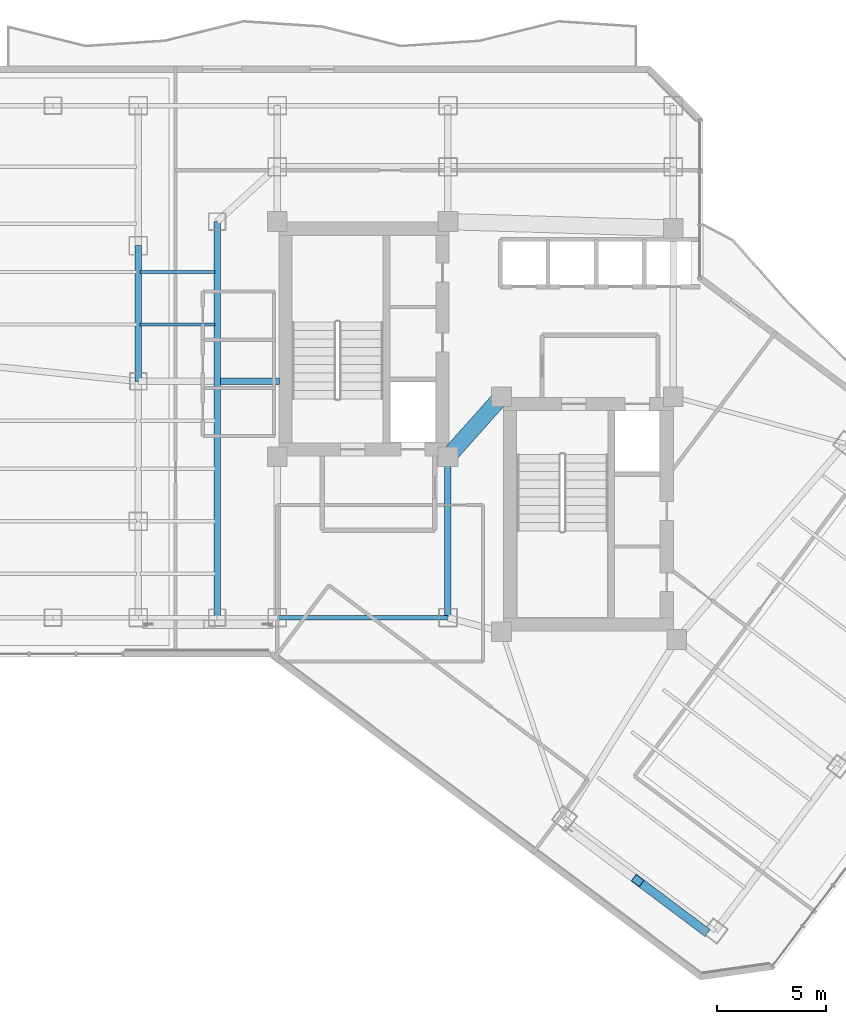
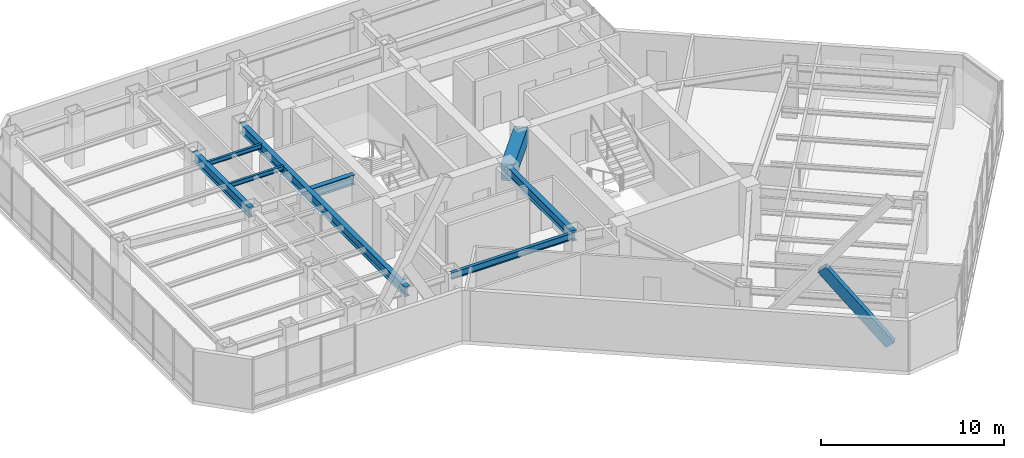
# One storey, part 9 of 26: 8 beams, 1 member.
"""IFC4 building model written with IfcOpenShell, lengths in metres."""

import ifcopenshell
import ifcopenshell.guid

model = None  # the IFC model being written
_history = None  # IfcOwnerHistory: only IFC2X3 demands one
_inside = {}  # id of a spatial element -> (the spatial element, [elements in it])
_under = {}  # id of a project, library or spatial element -> (it, [spatial elements below it])
_declared = {}  # id of a project -> (the project, [libraries it declares])
_typed = {}  # id of a type object -> (the type object, [elements of that type])
_made_of = {}  # id of a material, layer set ... -> (it, [elements and type objects made of it])


def new_model(schema):
    """Start an empty IFC model of exactly this schema.

    Asked for "IFC4X3", IfcOpenShell would pick the latest addendum, in which some entities
    have other attributes; the version numbers below select the first issue.
    IFC2X3 requires an IfcOwnerHistory on every rooted entity: one is made here for all.
    """
    global model, _history
    if schema == "IFC4X3":
        model = ifcopenshell.file(schema_version=(4, 3, 0, 0))
    else:
        model = ifcopenshell.file(schema=schema)
    _inside.clear()
    _under.clear()
    _declared.clear()
    _typed.clear()
    _made_of.clear()
    _history = None
    if model.schema == "IFC2X3":
        org = make("IfcOrganization", Name="unknown")
        user = make(
            "IfcPersonAndOrganization",
            ThePerson=make("IfcPerson", FamilyName="unknown"),
            TheOrganization=org,
        )
        app = make(
            "IfcApplication",
            ApplicationDeveloper=org,
            Version="unknown",
            ApplicationFullName="unknown",
            ApplicationIdentifier="unknown",
        )
        _history = make(
            "IfcOwnerHistory",
            OwningUser=user,
            OwningApplication=app,
            ChangeAction="ADDED",
            CreationDate=0,
        )
    return model


def make(cls, **values):
    """One entity of the class cls with the attributes given. An attribute that is None is left unset."""
    return model.create_entity(
        cls, **{name: value for name, value in values.items() if value is not None}
    )


def rooted(cls, **values):
    """An entity with a GlobalId (a new one), such as an element, a storey or a relation."""
    return make(cls, GlobalId=ifcopenshell.guid.new(), OwnerHistory=_history, **values)


def si_unit(unit_type, name, prefix=None):
    """IfcSIUnit, for example si_unit("LENGTHUNIT", "METRE", prefix="MILLI")."""
    return make("IfcSIUnit", UnitType=unit_type, Prefix=prefix, Name=name)


def assignment(units):
    """IfcUnitAssignment: the units of a project."""
    return None if units is None else make("IfcUnitAssignment", Units=units)


def point(xyz):
    """IfcCartesianPoint."""
    return None if xyz is None else make("IfcCartesianPoint", Coordinates=xyz)


def direction(xyz):
    """IfcDirection."""
    return None if xyz is None else make("IfcDirection", DirectionRatios=xyz)


def frame(location, z_axis=None, x_axis=None):
    """IfcAxis2Placement3D, a coordinate frame: its origin and axes. An axis left out is left unset."""
    return make(
        "IfcAxis2Placement3D",
        Location=point(location),
        Axis=direction(z_axis),
        RefDirection=direction(x_axis),
    )


def frame_2d(location, x_axis=None):
    """IfcAxis2Placement2D, a coordinate frame in the plane: its origin and x axis."""
    return make(
        "IfcAxis2Placement2D", Location=point(location), RefDirection=direction(x_axis)
    )


def origin():
    """The frame at (0, 0, 0) with its axes left unset."""
    return frame((0.0, 0.0, 0.0))


def origin_2d():
    """The frame at (0, 0) in the plane with its x axis left unset."""
    return frame_2d((0.0, 0.0))


def place(relative_to, where):
    """IfcLocalPlacement: puts the frame where relative to a parent placement (None: the world)."""
    return make(
        "IfcLocalPlacement", PlacementRelTo=relative_to, RelativePlacement=where
    )


def context(
    kind, dimensions, precision=None, world=None, true_north=None, identifier=None
):
    """IfcGeometricRepresentationContext, for example the 3D "Model" context."""
    return make(
        "IfcGeometricRepresentationContext",
        ContextIdentifier=identifier,
        ContextType=kind,
        CoordinateSpaceDimension=dimensions,
        Precision=precision,
        WorldCoordinateSystem=world,
        TrueNorth=true_north,
    )


def subcontext(parent, identifier, kind, view, scale=None):
    """IfcGeometricRepresentationSubContext, for example "Body" below "Model"."""
    return make(
        "IfcGeometricRepresentationSubContext",
        ContextIdentifier=identifier,
        ContextType=kind,
        ParentContext=parent,
        TargetScale=scale,
        TargetView=view,
    )


def project(units=None, contexts=None):
    """IfcProject with its units and contexts."""
    return rooted(
        "IfcProject",
        Name="project",
        RepresentationContexts=contexts,
        UnitsInContext=assignment(units),
    )


def spatial(cls, under=None, at=None, **own):
    """A site, building, storey or space (cls), placed at a placement, below another one or the project."""
    s = rooted(cls, ObjectPlacement=at, **own)
    if under is not None:
        _under.setdefault(under.id(), (under, []))[1].append(s)
    return s


def profile(cls, at=None, kind="AREA", **sizes):
    """A parametric profile (cls). Its sizes go by their IFC names, for example OverallWidth=200.0."""
    return make(cls, ProfileType=kind, Position=at, **sizes)


def rectangle(**sizes):
    """IfcRectangleProfileDef."""
    return profile("IfcRectangleProfileDef", **sizes)


def hollow_rectangle(**sizes):
    """IfcRectangleHollowProfileDef."""
    return profile("IfcRectangleHollowProfileDef", **sizes)


def i_section(**sizes):
    """IfcIShapeProfileDef."""
    return profile("IfcIShapeProfileDef", **sizes)


def extrude(swept, where, along, depth):
    """IfcExtrudedAreaSolid: the profile swept, set in the frame where, extruded along a direction by depth."""
    return make(
        "IfcExtrudedAreaSolid",
        SweptArea=swept,
        Position=where,
        ExtrudedDirection=direction(along),
        Depth=depth,
    )


def shape(context_of_items, identifier, shape_type, items):
    """IfcShapeRepresentation: the items that make up one representation, for example the "Body"."""
    return make(
        "IfcShapeRepresentation",
        ContextOfItems=context_of_items,
        RepresentationIdentifier=identifier,
        RepresentationType=shape_type,
        Items=items,
    )


def material(Name=None, Category=None):
    """IfcMaterial."""
    return make("IfcMaterial", Name=Name, Category=Category)


def material_profile(
    of_material, cross_section, Name=None, Category=None, Priority=None
):
    """IfcMaterialProfile: a cross section and its material."""
    return make(
        "IfcMaterialProfile",
        Name=Name,
        Material=of_material,
        Profile=cross_section,
        Priority=Priority,
        Category=Category,
    )


def profile_set(profiles, Name=None, composite=None):
    """IfcMaterialProfileSet."""
    return make(
        "IfcMaterialProfileSet",
        Name=Name,
        MaterialProfiles=profiles,
        CompositeProfile=composite,
    )


def made_of(thing, what):
    """Note that an element or type object is made of a material, layer set ...; save() writes the relation."""
    if what is not None:
        _made_of.setdefault(what.id(), (what, []))[1].append(thing)
    return thing


def type_object(cls, material=None, **own):
    """A type object (cls), such as IfcWallType, which elements share."""
    return made_of(rooted(cls, **own), material)


def element(
    cls,
    number,
    at=None,
    inside=None,
    cuts=None,
    type_object=None,
    material=None,
    context=None,
    identifier="Body",
    shape_type=None,
    held_by="IfcProductDefinitionShape",
    body=None,
    shapes=None,
    **own,
):
    """One element of the class cls, such as IfcWall. Its Tag is "e" and its number.

    at: its placement. inside: the storey or other place that contains it. cuts: it is an
    opening in that element (IfcRelVoidsElement). A single representation is given by context,
    identifier, shape_type and body (its items); several are given by shapes. held_by: the class
    of the entity that holds the representations. save() writes the other relations.
    """
    e = rooted(cls, Tag="e%d" % number, ObjectPlacement=at, **own)
    if body is not None:
        shapes = [shape(context, identifier, shape_type, body)]
    if shapes is not None:
        e.Representation = make(held_by, Representations=shapes)
    if inside is not None:
        _inside.setdefault(inside.id(), (inside, []))[1].append(e)
    if cuts is not None:
        rooted(
            "IfcRelVoidsElement", RelatingBuildingElement=cuts, RelatedOpeningElement=e
        )
    if type_object is not None:
        _typed.setdefault(type_object.id(), (type_object, []))[1].append(e)
    return made_of(e, material)


def aggregate(whole, parts):
    """IfcRelAggregates: a whole, such as a stair, and the parts it consists of."""
    return rooted("IfcRelAggregates", RelatingObject=whole, RelatedObjects=parts)


def save(model, path):
    """Write the relations noted so far, then the file.

    IfcRelAggregates (storeys below a building ...), IfcRelContainedInSpatialStructure (elements
    in a storey), IfcRelDefinesByType, IfcRelAssociatesMaterial and IfcRelDeclares: one each for
    every whole, place, type object, material and project.
    """
    for whole, parts in _under.values():
        aggregate(whole, parts)
    for where, things in _inside.values():
        rooted(
            "IfcRelContainedInSpatialStructure",
            RelatedElements=things,
            RelatingStructure=where,
        )
    for kind, things in _typed.values():
        rooted("IfcRelDefinesByType", RelatedObjects=things, RelatingType=kind)
    for what, things in _made_of.values():
        rooted("IfcRelAssociatesMaterial", RelatedObjects=things, RelatingMaterial=what)
    for by, libraries in _declared.values():
        rooted("IfcRelDeclares", RelatingContext=by, RelatedDefinitions=libraries)
    model.write(path)


model = new_model("IFC4")

# Units and contexts
model_context = context("Model", 3, precision=1e-05, world=origin(), true_north=direction((0.0, 1.0)))
body_context = subcontext(model_context, "Body", "Model", "MODEL_VIEW")
ifc_project = project(units=[si_unit("LENGTHUNIT", "METRE"), si_unit("AREAUNIT", "SQUARE_METRE"), si_unit("VOLUMEUNIT", "CUBIC_METRE"), si_unit("PLANEANGLEUNIT", "RADIAN"), si_unit("MASSUNIT", "GRAM", prefix="KILO")], contexts=[model_context])

# Site, building, storey
site_placement = place(None, origin())
site = spatial("IfcSite", under=ifc_project, at=site_placement, CompositionType="ELEMENT")
building_placement = place(site_placement, origin())
building = spatial("IfcBuilding", under=site, at=building_placement, Name="Hatsunagi Terrace Concourse", CompositionType="ELEMENT")
storey_placement = place(building_placement, frame((0.0, 0.0, 134.85009765625)))
storey = spatial("IfcBuildingStorey", under=building, at=storey_placement, Name="L35", CompositionType="ELEMENT", Elevation=134.85009765625)

# Beams
ifc_material_1 = material(Name="Concrete Fc48", Category="concrete")
ifc_material_profile_1 = material_profile(ifc_material_1, rectangle(XDim=0.75, YDim=1.10009765625, at=origin_2d()), Name="RC-750x1100")
ifc_profile_set_1 = profile_set([ifc_material_profile_1], Name="Concrete Fc48")
beam_type_1 = type_object("IfcBeamType", Name="CoreCouplingBeam_RC_750x1100", PredefinedType="BEAM", material=ifc_profile_set_1)
beam_1_placement = place(storey_placement, frame((33.35009765625, 32.550048828125, 2.7998046875), z_axis=(0.665198651008, 0.746666427997, 0.0), x_axis=(-0.746666427997, 0.665198651008, 0.0)))
element("IfcBeam", 1, at=beam_1_placement, inside=storey, type_object=beam_type_1, Name="Beam CB-02 CB-L35-1", PredefinedType="BEAM", context=body_context, shape_type="SweptSolid", body=[
    extrude(rectangle(XDim=0.75, YDim=1.10009765625, at=origin_2d()), origin(), (0.0, 0.0, 1.0), 3.68310546875),
])
ifc_material_2 = material(Name="Steel SN490B", Category="steel")
ifc_material_profile_2 = material_profile(ifc_material_2, i_section(OverallWidth=0.14990234375, OverallDepth=0.300048828125, WebThickness=0.006591796875, FlangeThickness=0.009033203125, FilletRadius=0.010986328125, at=origin_2d()), Name="H-300x150x6.5x9")
ifc_profile_set_2 = profile_set([ifc_material_profile_2], Name="Steel SN490B")
beam_type_2 = type_object("IfcBeamType", Name="OfficeJoist_H_300x150", PredefinedType="JOIST", material=ifc_profile_set_2)
for number, where, z_axis, x_axis, name in (
    (2, (19.284912109375, 38.60009765625, 3.199951171875), (1.0, 0.0, 0.0), (0.0, 1.0, 0.0), "Beam J-03 J-L35-W-19-386"),
    (3, (19.284912109375, 41.0, 3.199951171875), (1.0, 0.0, 0.0), (0.0, 1.0, 0.0), "Beam J-03 J-L35-W-19-410"),
):
    element("IfcBeam", number, at=place(storey_placement, frame(where, z_axis=z_axis, x_axis=x_axis)), inside=storey, type_object=beam_type_2, Name=name, PredefinedType="JOIST", context=body_context, shape_type="SweptSolid", body=[
        extrude(i_section(OverallWidth=0.14990234375, OverallDepth=0.300048828125, WebThickness=0.006591796875, FlangeThickness=0.009033203125, FilletRadius=0.010986328125, at=origin_2d()), origin(), (0.0, 0.0, 1.0), 3.43017578125),
    ])
ifc_material_3 = material(Name="Steel SN490B", Category="steel")
ifc_material_profile_3 = material_profile(ifc_material_3, i_section(OverallWidth=0.300048828125, OverallDepth=0.64990234375, WebThickness=0.012939453125, FlangeThickness=0.02197265625, FilletRadius=0.01806640625, at=origin_2d()), Name="H-650x300x13x22")
ifc_profile_set_3 = profile_set([ifc_material_profile_3], Name="Steel SN490B")
beam_type_3 = type_object("IfcBeamType", Name="OfficeLowGirder_H_650x300", PredefinedType="BEAM", material=ifc_profile_set_3)
beam_2_placement = place(storey_placement, frame((33.35009765625, 25.199951171875, 3.02490234375), z_axis=(0.0, 1.0, 0.0), x_axis=(-1.0, 0.0, 0.0)))
element("IfcBeam", 4, at=beam_2_placement, inside=storey, type_object=beam_type_3, Name="Beam G-05 BM-L35-K2CA", PredefinedType="BEAM", context=body_context, shape_type="SweptSolid", body=[
    extrude(i_section(OverallWidth=0.300048828125, OverallDepth=0.64990234375, WebThickness=0.012939453125, FlangeThickness=0.02197265625, FilletRadius=0.01806640625, at=origin_2d()), origin(), (0.0, 0.0, 1.0), 7.35009765625),
])
beam_3_placement = place(storey_placement, frame((22.800048828125, 25.199951171875, 3.02490234375), z_axis=(0.0, 1.0, 0.0), x_axis=(-1.0, 0.0, 0.0)))
element("IfcBeam", 5, at=beam_3_placement, inside=storey, type_object=beam_type_3, Name="Beam G-05 BM-L35-CWNS", PredefinedType="BEAM", context=body_context, shape_type="SweptSolid", body=[
    extrude(i_section(OverallWidth=0.300048828125, OverallDepth=0.64990234375, WebThickness=0.012939453125, FlangeThickness=0.02197265625, FilletRadius=0.01806640625, at=origin_2d()), origin(), (0.0, 0.0, 1.0), 18.10009765625),
])
beam_4_placement = place(storey_placement, frame((19.199951171875, 36.0, 3.02490234375), z_axis=(0.0, 1.0, 0.0), x_axis=(-1.0, 0.0, 0.0)))
element("IfcBeam", 6, at=beam_4_placement, inside=storey, type_object=beam_type_3, Name="Beam G-05 BM-L35-NS-19-36", PredefinedType="BEAM", context=body_context, shape_type="SweptSolid", body=[
    extrude(i_section(OverallWidth=0.300048828125, OverallDepth=0.64990234375, WebThickness=0.012939453125, FlangeThickness=0.02197265625, FilletRadius=0.01806640625, at=origin_2d()), origin(), (0.0, 0.0, 1.0), 6.199951171875),
])
beam_5_placement = place(storey_placement, frame((22.949951171875, 36.0, 3.02490234375), z_axis=(1.0, 0.0, 0.0), x_axis=(0.0, 1.0, 0.0)))
element("IfcBeam", 7, at=beam_5_placement, inside=storey, type_object=beam_type_3, Name="Beam G-05 BM-L35-EW-4", PredefinedType="BEAM", context=body_context, shape_type="SweptSolid", body=[
    extrude(i_section(OverallWidth=0.300048828125, OverallDepth=0.64990234375, WebThickness=0.012939453125, FlangeThickness=0.02197265625, FilletRadius=0.01806640625, at=origin_2d()), origin(), (0.0, 0.0, 1.0), 2.7099609375),
])
ifc_material_4 = material(Name="Steel SN490B", Category="steel")
ifc_material_profile_4 = material_profile(ifc_material_4, i_section(OverallWidth=0.199951171875, OverallDepth=0.449951171875, WebThickness=0.009033203125, FlangeThickness=0.013916015625, FilletRadius=0.01611328125, at=origin_2d()), Name="H-450x200x9x14")
ifc_profile_set_4 = profile_set([ifc_material_profile_4], Name="Steel SN490B")
beam_type_4 = type_object("IfcBeamType", Name="PerimeterSpandrel_H_450x200", PredefinedType="SPANDREL", material=ifc_profile_set_4)
beam_6_placement = place(storey_placement, frame((25.550048828125, 25.199951171875, 3.125), z_axis=(1.0, 0.0, 0.0), x_axis=(0.0, 1.0, 0.0)))
element("IfcBeam", 8, at=beam_6_placement, inside=storey, type_object=beam_type_4, Name="Beam SP-02 BM-L35-WS-25", PredefinedType="SPANDREL", context=body_context, shape_type="SweptSolid", body=[
    extrude(i_section(OverallWidth=0.199951171875, OverallDepth=0.449951171875, WebThickness=0.009033203125, FlangeThickness=0.013916015625, FilletRadius=0.01611328125, at=origin_2d()), origin(), (0.0, 0.0, 1.0), 7.800048828125),
])

# Member
ifc_material_5 = material(Name="Steel SN490B", Category="steel")
ifc_material_profile_5 = material_profile(ifc_material_5, hollow_rectangle(XDim=0.39990234375, YDim=0.60009765625, WallThickness=0.02490234375, at=origin_2d()), Name="RHS-600x400x25")
ifc_profile_set_5 = profile_set([ifc_material_profile_5], Name="Steel SN490B")
member_type = type_object("IfcMemberType", Name="PerimeterXBrace_Mid_RHS_600x400x25", PredefinedType="BRACE", material=ifc_profile_set_5)
member_placement = place(storey_placement, frame((42.02197265625, 13.18408203125, 5.164794921875), z_axis=(0.498334927898, -0.37384214033, -0.782243155131), x_axis=(0.600093425958, 0.799929922007, 0.0)))
element("IfcMember", 9, at=member_placement, inside=storey, type_object=member_type, Name="Perimeter X-Brace Split Lower XB-02 XB-L35-SEB2", PredefinedType="BRACE", context=body_context, shape_type="SweptSolid", body=[
    extrude(hollow_rectangle(XDim=0.39990234375, YDim=0.60009765625, WallThickness=0.02490234375, at=origin_2d()), origin(), (0.0, 0.0, 1.0), 6.0400390625),
])

save(model, "model.ifc")
